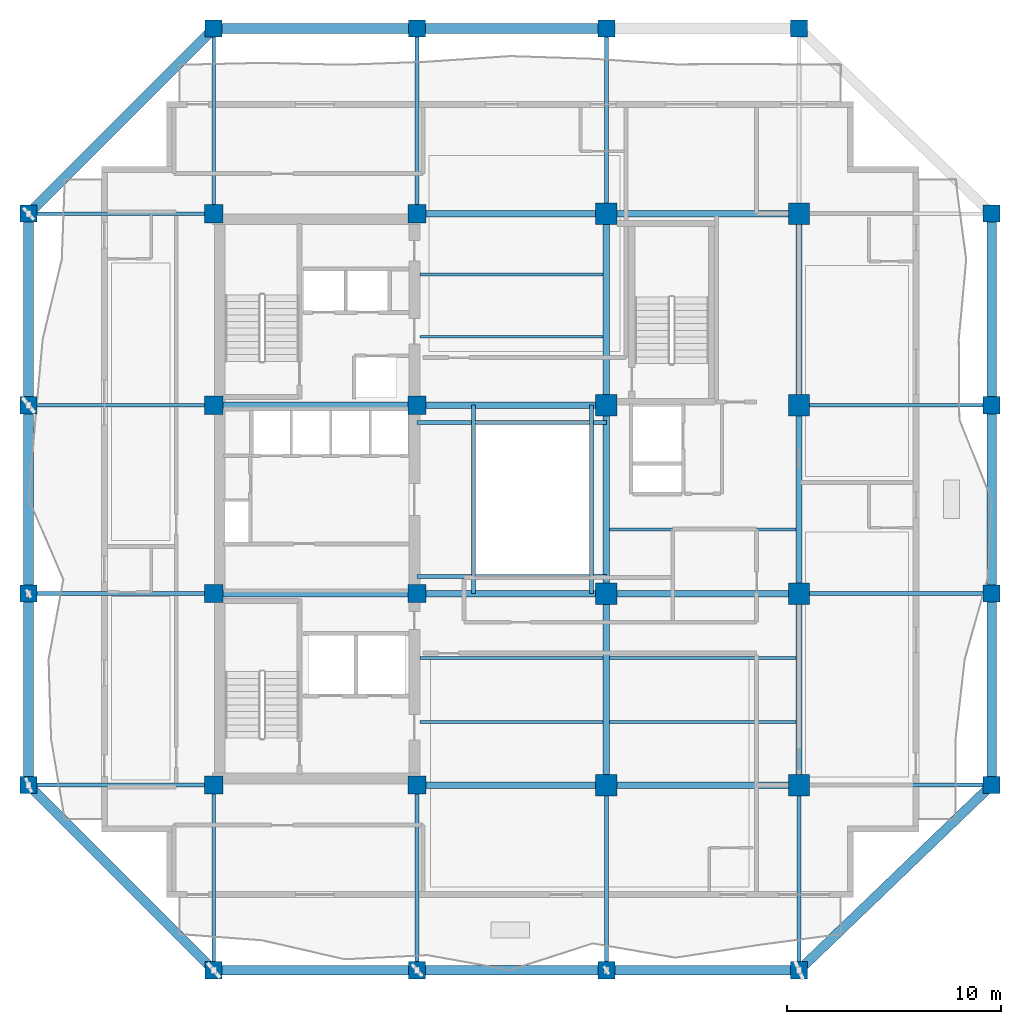
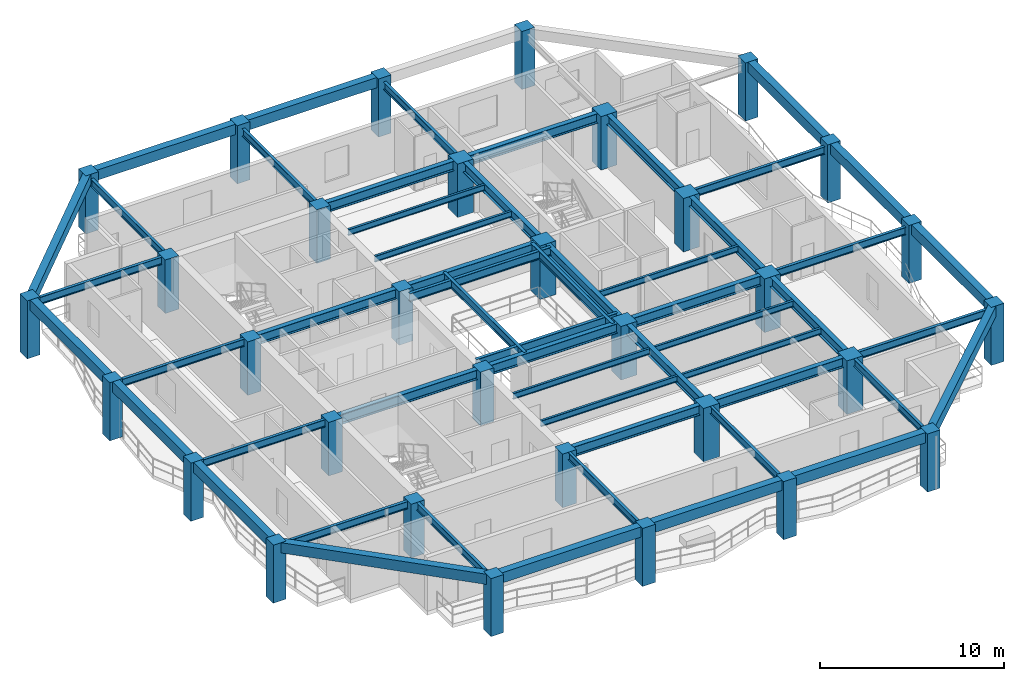
# One storey, part 1 of 10: 54 beams, 32 columns.
"""IFC4 building model written with IfcOpenShell, lengths in metres."""

from ifc_helpers import new_model, si_unit, direction, frame, origin, origin_2d, place, context, subcontext, project, spatial, rectangle, i_section, extrude, material, material_profile, profile_set, type_object, element, save


model = new_model("IFC4")

# Units and contexts
model_context = context("Model", 3, precision=1e-05, world=origin(), true_north=direction((0.0, 1.0)))
body_context = subcontext(model_context, "Body", "Model", "MODEL_VIEW")
ifc_project = project(units=[si_unit("LENGTHUNIT", "METRE"), si_unit("AREAUNIT", "SQUARE_METRE"), si_unit("VOLUMEUNIT", "CUBIC_METRE"), si_unit("PLANEANGLEUNIT", "RADIAN"), si_unit("MASSUNIT", "GRAM", prefix="KILO")], contexts=[model_context])

# Site, building, storey
site_placement = place(None, origin())
site = spatial("IfcSite", under=ifc_project, at=site_placement, CompositionType="ELEMENT")
building_placement = place(site_placement, origin())
building = spatial("IfcBuilding", under=site, at=building_placement, Name="Kundavana Baori Tower", CompositionType="ELEMENT")
storey_placement = place(building_placement, frame((0.0, 0.0, 150.199951171875)))
storey = spatial("IfcBuildingStorey", under=building, at=storey_placement, Name="L36", CompositionType="ELEMENT", Elevation=150.199951171875)

# Columns
ifc_material_1 = material(Name="Concrete C50/60", Category="concrete")
ifc_material_profile_1 = material_profile(ifc_material_1, rectangle(XDim=0.800048828125, YDim=0.800048828125, at=origin_2d()), Name="RC PF 800x800")
ifc_profile_set_1 = profile_set([ifc_material_profile_1], Name="Concrete C50/60")
column_type_1 = type_object("IfcColumnType", Name="COL-PF-800", PredefinedType="COLUMN", material=ifc_profile_set_1)
for number, where, z_axis, x_axis, name in (
    (1, (15.449951171875, 6.60009765625, 0.0), (0.0, 0.0, 1.0), (1.0, 0.0, 0.0), "L36 Stone-Clad Perimeter Frame Column PF-S1"),
    (2, (15.449951171875, 50.60009765625, 0.0), (0.0, 0.0, 1.0), (1.0, 0.0, 0.0), "L36 Stone-Clad Perimeter Frame Column PF-N1"),
    (3, (24.949951171875, 6.60009765625, 0.0), (0.0, 0.0, 1.0), (1.0, 0.0, 0.0), "L36 Stone-Clad Perimeter Frame Column PF-S2"),
    (4, (24.949951171875, 50.60009765625, 0.0), (0.0, 0.0, 1.0), (1.0, 0.0, 0.0), "L36 Stone-Clad Perimeter Frame Column PF-N2"),
    (5, (33.800048828125, 6.60009765625, 0.0), (0.0, 0.0, 1.0), (1.0, 0.0, 0.0), "L36 Stone-Clad Perimeter Frame Column PF-S3"),
    (6, (33.800048828125, 50.60009765625, 0.0), (0.0, 0.0, 1.0), (1.0, 0.0, 0.0), "L36 Stone-Clad Perimeter Frame Column PF-N3"),
    (7, (42.800048828125, 6.60009765625, 0.0), (0.0, 0.0, 1.0), (1.0, 0.0, 0.0), "L36 Stone-Clad Perimeter Frame Column PF-S4"),
    (8, (42.800048828125, 50.60009765625, 0.0), (0.0, 0.0, 1.0), (1.0, 0.0, 0.0), "L36 Stone-Clad Perimeter Frame Column PF-N4"),
    (9, (6.800048828125, 15.25, 0.0), (0.0, 0.0, 1.0), (1.0, 0.0, 0.0), "L36 Stone-Clad Perimeter Frame Column PF-W1"),
    (10, (51.800048828125, 15.25, 0.0), (0.0, 0.0, 1.0), (1.0, 0.0, 0.0), "L36 Stone-Clad Perimeter Frame Column PF-E1"),
    (11, (6.800048828125, 24.199951171875, 0.0), (0.0, 0.0, 1.0), (1.0, 0.0, 0.0), "L36 Stone-Clad Perimeter Frame Column PF-W2"),
    (12, (51.800048828125, 24.199951171875, 0.0), (0.0, 0.0, 1.0), (1.0, 0.0, 0.0), "L36 Stone-Clad Perimeter Frame Column PF-E2"),
    (13, (6.800048828125, 33.0, 0.0), (0.0, 0.0, 1.0), (1.0, 0.0, 0.0), "L36 Stone-Clad Perimeter Frame Column PF-W3"),
    (14, (51.800048828125, 33.0, 0.0), (0.0, 0.0, 1.0), (1.0, 0.0, 0.0), "L36 Stone-Clad Perimeter Frame Column PF-E3"),
    (15, (6.800048828125, 41.949951171875, 0.0), (0.0, 0.0, 1.0), (1.0, 0.0, 0.0), "L36 Stone-Clad Perimeter Frame Column PF-W4"),
    (16, (51.800048828125, 41.949951171875, 0.0), (0.0, 0.0, 1.0), (1.0, 0.0, 0.0), "L36 Stone-Clad Perimeter Frame Column PF-E4"),
):
    element("IfcColumn", number, at=place(storey_placement, frame(where, z_axis=z_axis, x_axis=x_axis)), inside=storey, type_object=column_type_1, Name=name, PredefinedType="COLUMN", context=body_context, shape_type="SweptSolid", body=[
        extrude(rectangle(XDim=0.800048828125, YDim=0.800048828125, at=origin_2d()), origin(), (0.0, 0.0, 1.0), 3.85009765625),
    ])
ifc_material_2 = material(Name="Concrete C50/60", Category="concrete")
ifc_material_profile_2 = material_profile(ifc_material_2, rectangle(XDim=1.0, YDim=1.0, at=origin_2d()), Name="RC 1000x1000")
ifc_profile_set_2 = profile_set([ifc_material_profile_2], Name="Concrete C50/60")
column_type_2 = type_object("IfcColumnType", Name="COL-RC-1000", PredefinedType="COLUMN", material=ifc_profile_set_2)
for number, where, z_axis, x_axis, name in (
    (17, (33.800048828125, 15.25, 0.0), (0.0, 0.0, 1.0), (1.0, 0.0, 0.0), "L36 Interior Column IC-5C"),
    (18, (33.800048828125, 24.199951171875, 0.0), (0.0, 0.0, 1.0), (1.0, 0.0, 0.0), "L36 Interior Column IC-5D"),
    (19, (33.800048828125, 33.0, 0.0), (0.0, 0.0, 1.0), (1.0, 0.0, 0.0), "L36 Interior Column IC-5E"),
    (20, (33.800048828125, 41.949951171875, 0.0), (0.0, 0.0, 1.0), (1.0, 0.0, 0.0), "L36 Interior Column IC-5F"),
    (21, (42.800048828125, 15.25, 0.0), (0.0, 0.0, 1.0), (1.0, 0.0, 0.0), "L36 Interior Column IC-6C"),
    (22, (42.800048828125, 24.199951171875, 0.0), (0.0, 0.0, 1.0), (1.0, 0.0, 0.0), "L36 Interior Column IC-6D"),
    (23, (42.800048828125, 33.0, 0.0), (0.0, 0.0, 1.0), (1.0, 0.0, 0.0), "L36 Interior Column IC-6E"),
    (24, (42.800048828125, 41.949951171875, 0.0), (0.0, 0.0, 1.0), (1.0, 0.0, 0.0), "L36 Interior Column IC-6F"),
):
    element("IfcColumn", number, at=place(storey_placement, frame(where, z_axis=z_axis, x_axis=x_axis)), inside=storey, type_object=column_type_2, Name=name, PredefinedType="COLUMN", context=body_context, shape_type="SweptSolid", body=[
        extrude(rectangle(XDim=1.0, YDim=1.0, at=origin_2d()), origin(), (0.0, 0.0, 1.0), 3.550048828125),
    ])
ifc_material_3 = material(Name="Concrete C50/60", Category="concrete")
ifc_material_profile_3 = material_profile(ifc_material_3, rectangle(XDim=0.85009765625, YDim=0.85009765625, at=origin_2d()), Name="RC 850x850")
ifc_profile_set_3 = profile_set([ifc_material_profile_3], Name="Concrete C50/60")
column_type_3 = type_object("IfcColumnType", Name="COL-RC-850", PredefinedType="COLUMN", material=ifc_profile_set_3)
for number, where, z_axis, x_axis, name in (
    (25, (15.449951171875, 15.25, 0.0), (0.0, 0.0, 1.0), (1.0, 0.0, 0.0), "L36 Interior Column IC-3C"),
    (26, (15.449951171875, 24.199951171875, 0.0), (0.0, 0.0, 1.0), (1.0, 0.0, 0.0), "L36 Interior Column IC-3D"),
    (27, (15.449951171875, 33.0, 0.0), (0.0, 0.0, 1.0), (1.0, 0.0, 0.0), "L36 Interior Column IC-3E"),
    (28, (15.449951171875, 41.949951171875, 0.0), (0.0, 0.0, 1.0), (1.0, 0.0, 0.0), "L36 Interior Column IC-3F"),
    (29, (24.949951171875, 15.25, 0.0), (0.0, 0.0, 1.0), (1.0, 0.0, 0.0), "L36 Interior Column IC-4C"),
    (30, (24.949951171875, 24.199951171875, 0.0), (0.0, 0.0, 1.0), (1.0, 0.0, 0.0), "L36 Interior Column IC-4D"),
    (31, (24.949951171875, 33.0, 0.0), (0.0, 0.0, 1.0), (1.0, 0.0, 0.0), "L36 Interior Column IC-4E"),
    (32, (24.949951171875, 41.949951171875, 0.0), (0.0, 0.0, 1.0), (1.0, 0.0, 0.0), "L36 Interior Column IC-4F"),
):
    element("IfcColumn", number, at=place(storey_placement, frame(where, z_axis=z_axis, x_axis=x_axis)), inside=storey, type_object=column_type_3, Name=name, PredefinedType="COLUMN", context=body_context, shape_type="SweptSolid", body=[
        extrude(rectangle(XDim=0.85009765625, YDim=0.85009765625, at=origin_2d()), origin(), (0.0, 0.0, 1.0), 3.550048828125),
    ])

# Beams
ifc_material_4 = material(Name="Structural Steel S355JR", Category="steel")
ifc_material_profile_4 = material_profile(ifc_material_4, i_section(OverallWidth=0.139892578125, OverallDepth=0.39990234375, WebThickness=0.0087890625, FlangeThickness=0.01611328125, FilletRadius=0.013916015625, at=origin_2d()), Name="ISMB 400")
ifc_profile_set_4 = profile_set([ifc_material_profile_4], Name="Structural Steel S355JR")
beam_type_1 = type_object("IfcBeamType", Name="BM-JST-400", PredefinedType="JOIST", material=ifc_profile_set_4)
for number, where, z_axis, x_axis, name in (
    (33, (25.080078125, 18.199951171875, 3.35009765625), (1.0, 0.0, 0.0), (0.0, 1.0, 0.0), "L36 Central Bay Composite Floor Joist C1"),
    (34, (25.080078125, 21.199951171875, 3.35009765625), (1.0, 0.0, 0.0), (0.0, 1.0, 0.0), "L36 Central Bay Composite Floor Joist C2"),
    (35, (25.080078125, 36.199951171875, 3.35009765625), (1.0, 0.0, 0.0), (0.0, 1.0, 0.0), "L36 Central Bay Composite Floor Joist C3"),
    (36, (25.080078125, 39.10009765625, 3.35009765625), (1.0, 0.0, 0.0), (0.0, 1.0, 0.0), "L36 Central Bay Composite Floor Joist C4"),
):
    element("IfcBeam", number, at=place(storey_placement, frame(where, z_axis=z_axis, x_axis=x_axis)), inside=storey, type_object=beam_type_1, Name=name, PredefinedType="JOIST", context=body_context, shape_type="SweptSolid", body=[
        extrude(i_section(OverallWidth=0.139892578125, OverallDepth=0.39990234375, WebThickness=0.0087890625, FlangeThickness=0.01611328125, FilletRadius=0.013916015625, at=origin_2d()), origin(), (0.0, 0.0, 1.0), 8.56982421875),
    ])
for number, where, z_axis, x_axis, name in (
    (37, (33.949951171875, 18.199951171875, 3.35009765625), (1.0, 0.0, 0.0), (0.0, 1.0, 0.0), "L36 East Bay Composite Floor Joist E1"),
    (38, (33.949951171875, 21.199951171875, 3.35009765625), (1.0, 0.0, 0.0), (0.0, 1.0, 0.0), "L36 East Bay Composite Floor Joist E2"),
    (39, (33.949951171875, 27.199951171875, 3.35009765625), (1.0, 0.0, 0.0), (0.0, 1.0, 0.0), "L36 East Bay Composite Floor Joist E3"),
):
    element("IfcBeam", number, at=place(storey_placement, frame(where, z_axis=z_axis, x_axis=x_axis)), inside=storey, type_object=beam_type_1, Name=name, PredefinedType="JOIST", context=body_context, shape_type="SweptSolid", body=[
        extrude(i_section(OverallWidth=0.139892578125, OverallDepth=0.39990234375, WebThickness=0.0087890625, FlangeThickness=0.01611328125, FilletRadius=0.013916015625, at=origin_2d()), origin(), (0.0, 0.0, 1.0), 8.699951171875),
    ])
ifc_material_5 = material(Name="Concrete C50/60", Category="concrete")
ifc_material_profile_5 = material_profile(ifc_material_5, rectangle(XDim=0.449951171875, YDim=0.679931640625, at=origin_2d()), Name="RC BM 450x680")
ifc_profile_set_5 = profile_set([ifc_material_profile_5], Name="Concrete C50/60")
beam_type_2 = type_object("IfcBeamType", Name="BM-PF-680", PredefinedType="SPANDREL", material=ifc_profile_set_5)
beam_1_placement = place(storey_placement, frame((15.449951171875, 6.60009765625, 3.510009765625), z_axis=(1.0, 0.0, 0.0), x_axis=(0.0, 1.0, 0.0)))
element("IfcBeam", 40, at=beam_1_placement, inside=storey, type_object=beam_type_2, Name="L36 Perimeter Frame Ring Beam S1", PredefinedType="SPANDREL", context=body_context, shape_type="SweptSolid", body=[
    extrude(rectangle(XDim=0.449951171875, YDim=0.679931640625, at=origin_2d()), origin(), (0.0, 0.0, 1.0), 9.5),
])
beam_2_placement = place(storey_placement, frame((24.949951171875, 6.60009765625, 3.510009765625), z_axis=(1.0, 0.0, 0.0), x_axis=(0.0, 1.0, 0.0)))
element("IfcBeam", 41, at=beam_2_placement, inside=storey, type_object=beam_type_2, Name="L36 Perimeter Frame Ring Beam S2", PredefinedType="SPANDREL", context=body_context, shape_type="SweptSolid", body=[
    extrude(rectangle(XDim=0.449951171875, YDim=0.679931640625, at=origin_2d()), origin(), (0.0, 0.0, 1.0), 8.85009765625),
])
beam_3_placement = place(storey_placement, frame((33.800048828125, 6.60009765625, 3.510009765625), z_axis=(1.0, 0.0, 0.0), x_axis=(0.0, 1.0, 0.0)))
element("IfcBeam", 42, at=beam_3_placement, inside=storey, type_object=beam_type_2, Name="L36 Perimeter Frame Ring Beam S3", PredefinedType="SPANDREL", context=body_context, shape_type="SweptSolid", body=[
    extrude(rectangle(XDim=0.449951171875, YDim=0.679931640625, at=origin_2d()), origin(), (0.0, 0.0, 1.0), 9.0),
])
beam_4_placement = place(storey_placement, frame((15.449951171875, 50.60009765625, 3.510009765625), z_axis=(1.0, 0.0, 0.0), x_axis=(0.0, 1.0, 0.0)))
element("IfcBeam", 43, at=beam_4_placement, inside=storey, type_object=beam_type_2, Name="L36 Perimeter Frame Ring Beam N1", PredefinedType="SPANDREL", context=body_context, shape_type="SweptSolid", body=[
    extrude(rectangle(XDim=0.449951171875, YDim=0.679931640625, at=origin_2d()), origin(), (0.0, 0.0, 1.0), 9.5),
])
beam_5_placement = place(storey_placement, frame((24.949951171875, 50.60009765625, 3.510009765625), z_axis=(1.0, 0.0, 0.0), x_axis=(0.0, 1.0, 0.0)))
element("IfcBeam", 44, at=beam_5_placement, inside=storey, type_object=beam_type_2, Name="L36 Perimeter Frame Ring Beam N2", PredefinedType="SPANDREL", context=body_context, shape_type="SweptSolid", body=[
    extrude(rectangle(XDim=0.449951171875, YDim=0.679931640625, at=origin_2d()), origin(), (0.0, 0.0, 1.0), 8.85009765625),
])
beam_6_placement = place(storey_placement, frame((6.800048828125, 15.25, 3.510009765625), z_axis=(0.0, 1.0, 0.0), x_axis=(-1.0, 0.0, 0.0)))
element("IfcBeam", 45, at=beam_6_placement, inside=storey, type_object=beam_type_2, Name="L36 Perimeter Frame Ring Beam W1", PredefinedType="SPANDREL", context=body_context, shape_type="SweptSolid", body=[
    extrude(rectangle(XDim=0.449951171875, YDim=0.679931640625, at=origin_2d()), origin(), (0.0, 0.0, 1.0), 8.949951171875),
])
beam_7_placement = place(storey_placement, frame((6.800048828125, 24.199951171875, 3.510009765625), z_axis=(0.0, 1.0, 0.0), x_axis=(-1.0, 0.0, 0.0)))
element("IfcBeam", 46, at=beam_7_placement, inside=storey, type_object=beam_type_2, Name="L36 Perimeter Frame Ring Beam W2", PredefinedType="SPANDREL", context=body_context, shape_type="SweptSolid", body=[
    extrude(rectangle(XDim=0.449951171875, YDim=0.679931640625, at=origin_2d()), origin(), (0.0, 0.0, 1.0), 8.800048828125),
])
for number, where, z_axis, x_axis, name in (
    (47, (6.800048828125, 33.0, 3.510009765625), (0.0, 1.0, 0.0), (-1.0, 0.0, 0.0), "L36 Perimeter Frame Ring Beam W3"),
    (48, (51.800048828125, 15.25, 3.510009765625), (0.0, 1.0, 0.0), (-1.0, 0.0, 0.0), "L36 Perimeter Frame Ring Beam E1"),
):
    element("IfcBeam", number, at=place(storey_placement, frame(where, z_axis=z_axis, x_axis=x_axis)), inside=storey, type_object=beam_type_2, Name=name, PredefinedType="SPANDREL", context=body_context, shape_type="SweptSolid", body=[
        extrude(rectangle(XDim=0.449951171875, YDim=0.679931640625, at=origin_2d()), origin(), (0.0, 0.0, 1.0), 8.949951171875),
    ])
beam_8_placement = place(storey_placement, frame((51.800048828125, 24.199951171875, 3.510009765625), z_axis=(0.0, 1.0, 0.0), x_axis=(-1.0, 0.0, 0.0)))
element("IfcBeam", 49, at=beam_8_placement, inside=storey, type_object=beam_type_2, Name="L36 Perimeter Frame Ring Beam E2", PredefinedType="SPANDREL", context=body_context, shape_type="SweptSolid", body=[
    extrude(rectangle(XDim=0.449951171875, YDim=0.679931640625, at=origin_2d()), origin(), (0.0, 0.0, 1.0), 8.800048828125),
])
beam_9_placement = place(storey_placement, frame((51.800048828125, 33.0, 3.510009765625), z_axis=(0.0, 1.0, 0.0), x_axis=(-1.0, 0.0, 0.0)))
element("IfcBeam", 50, at=beam_9_placement, inside=storey, type_object=beam_type_2, Name="L36 Perimeter Frame Ring Beam E3", PredefinedType="SPANDREL", context=body_context, shape_type="SweptSolid", body=[
    extrude(rectangle(XDim=0.449951171875, YDim=0.679931640625, at=origin_2d()), origin(), (0.0, 0.0, 1.0), 8.949951171875),
])
beam_10_placement = place(storey_placement, frame((15.449951171875, 6.60009765625, 3.510009765625), z_axis=(-0.707106781187, 0.707106781187, 0.0), x_axis=(-0.707106781187, -0.707106781187, 0.0)))
element("IfcBeam", 51, at=beam_10_placement, inside=storey, type_object=beam_type_2, Name="L36 Notched Corner Perimeter Beam SW", PredefinedType="SPANDREL", context=body_context, shape_type="SweptSolid", body=[
    extrude(rectangle(XDim=0.449951171875, YDim=0.679931640625, at=origin_2d()), origin(), (0.0, 0.0, 1.0), 12.23291015625),
])
beam_11_placement = place(storey_placement, frame((42.800048828125, 6.60009765625, 3.510009765625), z_axis=(0.720990894297, 0.692944536266, 0.0), x_axis=(-0.692944536266, 0.720990894297, 0.0)))
element("IfcBeam", 52, at=beam_11_placement, inside=storey, type_object=beam_type_2, Name="L36 Notched Corner Perimeter Beam SE", PredefinedType="SPANDREL", context=body_context, shape_type="SweptSolid", body=[
    extrude(rectangle(XDim=0.449951171875, YDim=0.679931640625, at=origin_2d()), origin(), (0.0, 0.0, 1.0), 12.48291015625),
])
beam_12_placement = place(storey_placement, frame((15.449951171875, 50.60009765625, 3.510009765625), z_axis=(-0.70709680233, -0.707116759903, 0.0), x_axis=(0.707116759903, -0.70709680233, 0.0)))
element("IfcBeam", 53, at=beam_12_placement, inside=storey, type_object=beam_type_2, Name="L36 Notched Corner Perimeter Beam NW", PredefinedType="SPANDREL", context=body_context, shape_type="SweptSolid", body=[
    extrude(rectangle(XDim=0.449951171875, YDim=0.679931640625, at=origin_2d()), origin(), (0.0, 0.0, 1.0), 12.23291015625),
])
ifc_material_6 = material(Name="Structural Steel S355JR", Category="steel")
ifc_material_profile_6 = material_profile(ifc_material_6, i_section(OverallWidth=0.18994140625, OverallDepth=0.550048828125, WebThickness=0.01123046875, FlangeThickness=0.019287109375, FilletRadius=0.01806640625, at=origin_2d()), Name="ISMB 550")
ifc_profile_set_6 = profile_set([ifc_material_profile_6], Name="Structural Steel S355JR")
beam_type_3 = type_object("IfcBeamType", Name="BM-ST-550", PredefinedType="BEAM", material=ifc_profile_set_6)
for number, where, z_axis, x_axis, name in (
    (54, (27.60009765625, 24.199951171875, 3.275146484375), (0.0, 1.0, 0.0), (-1.0, 0.0, 0.0), "L36 Atrium West Edge Beam"),
    (55, (33.10009765625, 24.199951171875, 3.275146484375), (0.0, 1.0, 0.0), (-1.0, 0.0, 0.0), "L36 Atrium East Edge Beam"),
):
    element("IfcBeam", number, at=place(storey_placement, frame(where, z_axis=z_axis, x_axis=x_axis)), inside=storey, type_object=beam_type_3, Name=name, PredefinedType="BEAM", context=body_context, shape_type="SweptSolid", body=[
        extrude(i_section(OverallWidth=0.18994140625, OverallDepth=0.550048828125, WebThickness=0.01123046875, FlangeThickness=0.019287109375, FilletRadius=0.01806640625, at=origin_2d()), origin(), (0.0, 0.0, 1.0), 8.800048828125),
    ])
for number, where, z_axis, x_axis, name in (
    (56, (24.949951171875, 25.0, 3.275146484375), (1.0, 0.0, 0.0), (0.0, 1.0, 0.0), "L36 Atrium South Edge Beam"),
    (57, (24.949951171875, 32.199951171875, 3.275146484375), (1.0, 0.0, 0.0), (0.0, 1.0, 0.0), "L36 Atrium North Edge Beam"),
):
    element("IfcBeam", number, at=place(storey_placement, frame(where, z_axis=z_axis, x_axis=x_axis)), inside=storey, type_object=beam_type_3, Name=name, PredefinedType="BEAM", context=body_context, shape_type="SweptSolid", body=[
        extrude(i_section(OverallWidth=0.18994140625, OverallDepth=0.550048828125, WebThickness=0.01123046875, FlangeThickness=0.019287109375, FilletRadius=0.01806640625, at=origin_2d()), origin(), (0.0, 0.0, 1.0), 8.85009765625),
    ])
ifc_material_7 = material(Name="Structural Steel S355JR", Category="steel")
ifc_material_profile_7 = material_profile(ifc_material_7, i_section(OverallWidth=0.300048828125, OverallDepth=0.64990234375, WebThickness=0.013427734375, FlangeThickness=0.02197265625, FilletRadius=0.02392578125, at=origin_2d()), Name="NPB 650x300x155")
ifc_profile_set_7 = profile_set([ifc_material_profile_7], Name="Structural Steel S355JR")
beam_type_4 = type_object("IfcBeamType", Name="BM-ST-650", PredefinedType="BEAM", material=ifc_profile_set_7)
beam_13_placement = place(storey_placement, frame((24.949951171875, 15.25, 3.22509765625), z_axis=(1.0, 0.0, 0.0), x_axis=(0.0, 1.0, 0.0)))
element("IfcBeam", 58, at=beam_13_placement, inside=storey, type_object=beam_type_4, Name="L36 Primary Grid Girder GX-1-2", PredefinedType="BEAM", context=body_context, shape_type="SweptSolid", body=[
    extrude(i_section(OverallWidth=0.300048828125, OverallDepth=0.64990234375, WebThickness=0.013427734375, FlangeThickness=0.02197265625, FilletRadius=0.02392578125, at=origin_2d()), origin(), (0.0, 0.0, 1.0), 8.85009765625),
])
beam_14_placement = place(storey_placement, frame((33.800048828125, 15.25, 3.22509765625), z_axis=(1.0, 0.0, 0.0), x_axis=(0.0, 1.0, 0.0)))
element("IfcBeam", 59, at=beam_14_placement, inside=storey, type_object=beam_type_4, Name="L36 Primary Grid Girder GX-1-3", PredefinedType="BEAM", context=body_context, shape_type="SweptSolid", body=[
    extrude(i_section(OverallWidth=0.300048828125, OverallDepth=0.64990234375, WebThickness=0.013427734375, FlangeThickness=0.02197265625, FilletRadius=0.02392578125, at=origin_2d()), origin(), (0.0, 0.0, 1.0), 9.0),
])
beam_15_placement = place(storey_placement, frame((15.449951171875, 24.199951171875, 3.22509765625), z_axis=(1.0, 0.0, 0.0), x_axis=(0.0, 1.0, 0.0)))
element("IfcBeam", 60, at=beam_15_placement, inside=storey, type_object=beam_type_4, Name="L36 Primary Grid Girder GX-2-1", PredefinedType="BEAM", context=body_context, shape_type="SweptSolid", body=[
    extrude(i_section(OverallWidth=0.300048828125, OverallDepth=0.64990234375, WebThickness=0.013427734375, FlangeThickness=0.02197265625, FilletRadius=0.02392578125, at=origin_2d()), origin(), (0.0, 0.0, 1.0), 9.5),
])
beam_16_placement = place(storey_placement, frame((24.949951171875, 24.199951171875, 3.22509765625), z_axis=(1.0, 0.0, 0.0), x_axis=(0.0, 1.0, 0.0)))
element("IfcBeam", 61, at=beam_16_placement, inside=storey, type_object=beam_type_4, Name="L36 Primary Grid Girder GX-2-2", PredefinedType="BEAM", context=body_context, shape_type="SweptSolid", body=[
    extrude(i_section(OverallWidth=0.300048828125, OverallDepth=0.64990234375, WebThickness=0.013427734375, FlangeThickness=0.02197265625, FilletRadius=0.02392578125, at=origin_2d()), origin(), (0.0, 0.0, 1.0), 8.85009765625),
])
beam_17_placement = place(storey_placement, frame((33.800048828125, 24.199951171875, 3.22509765625), z_axis=(1.0, 0.0, 0.0), x_axis=(0.0, 1.0, 0.0)))
element("IfcBeam", 62, at=beam_17_placement, inside=storey, type_object=beam_type_4, Name="L36 Primary Grid Girder GX-2-3", PredefinedType="BEAM", context=body_context, shape_type="SweptSolid", body=[
    extrude(i_section(OverallWidth=0.300048828125, OverallDepth=0.64990234375, WebThickness=0.013427734375, FlangeThickness=0.02197265625, FilletRadius=0.02392578125, at=origin_2d()), origin(), (0.0, 0.0, 1.0), 9.0),
])
beam_18_placement = place(storey_placement, frame((15.449951171875, 33.0, 3.22509765625), z_axis=(1.0, 0.0, 0.0), x_axis=(0.0, 1.0, 0.0)))
element("IfcBeam", 63, at=beam_18_placement, inside=storey, type_object=beam_type_4, Name="L36 Primary Grid Girder GX-3-1", PredefinedType="BEAM", context=body_context, shape_type="SweptSolid", body=[
    extrude(i_section(OverallWidth=0.300048828125, OverallDepth=0.64990234375, WebThickness=0.013427734375, FlangeThickness=0.02197265625, FilletRadius=0.02392578125, at=origin_2d()), origin(), (0.0, 0.0, 1.0), 9.5),
])
for number, where, z_axis, x_axis, name in (
    (64, (24.949951171875, 33.0, 3.22509765625), (1.0, 0.0, 0.0), (0.0, 1.0, 0.0), "L36 Primary Grid Girder GX-3-2"),
    (65, (24.949951171875, 41.949951171875, 3.22509765625), (1.0, 0.0, 0.0), (0.0, 1.0, 0.0), "L36 Primary Grid Girder GX-4-2"),
):
    element("IfcBeam", number, at=place(storey_placement, frame(where, z_axis=z_axis, x_axis=x_axis)), inside=storey, type_object=beam_type_4, Name=name, PredefinedType="BEAM", context=body_context, shape_type="SweptSolid", body=[
        extrude(i_section(OverallWidth=0.300048828125, OverallDepth=0.64990234375, WebThickness=0.013427734375, FlangeThickness=0.02197265625, FilletRadius=0.02392578125, at=origin_2d()), origin(), (0.0, 0.0, 1.0), 8.85009765625),
    ])
beam_19_placement = place(storey_placement, frame((33.800048828125, 41.949951171875, 3.22509765625), z_axis=(1.0, 0.0, 0.0), x_axis=(0.0, 1.0, 0.0)))
element("IfcBeam", 66, at=beam_19_placement, inside=storey, type_object=beam_type_4, Name="L36 Primary Grid Girder GX-4-3", PredefinedType="BEAM", context=body_context, shape_type="SweptSolid", body=[
    extrude(i_section(OverallWidth=0.300048828125, OverallDepth=0.64990234375, WebThickness=0.013427734375, FlangeThickness=0.02197265625, FilletRadius=0.02392578125, at=origin_2d()), origin(), (0.0, 0.0, 1.0), 9.0),
])
beam_20_placement = place(storey_placement, frame((33.800048828125, 15.25, 3.22509765625), z_axis=(0.0, 1.0, 0.0), x_axis=(-1.0, 0.0, 0.0)))
element("IfcBeam", 67, at=beam_20_placement, inside=storey, type_object=beam_type_4, Name="L36 Primary Grid Girder GY-3-1", PredefinedType="BEAM", context=body_context, shape_type="SweptSolid", body=[
    extrude(i_section(OverallWidth=0.300048828125, OverallDepth=0.64990234375, WebThickness=0.013427734375, FlangeThickness=0.02197265625, FilletRadius=0.02392578125, at=origin_2d()), origin(), (0.0, 0.0, 1.0), 8.949951171875),
])
beam_21_placement = place(storey_placement, frame((33.800048828125, 24.199951171875, 3.22509765625), z_axis=(0.0, 1.0, 0.0), x_axis=(-1.0, 0.0, 0.0)))
element("IfcBeam", 68, at=beam_21_placement, inside=storey, type_object=beam_type_4, Name="L36 Primary Grid Girder GY-3-2", PredefinedType="BEAM", context=body_context, shape_type="SweptSolid", body=[
    extrude(i_section(OverallWidth=0.300048828125, OverallDepth=0.64990234375, WebThickness=0.013427734375, FlangeThickness=0.02197265625, FilletRadius=0.02392578125, at=origin_2d()), origin(), (0.0, 0.0, 1.0), 8.800048828125),
])
for number, where, z_axis, x_axis, name in (
    (69, (33.800048828125, 33.0, 3.22509765625), (0.0, 1.0, 0.0), (-1.0, 0.0, 0.0), "L36 Primary Grid Girder GY-3-3"),
    (70, (42.800048828125, 15.25, 3.22509765625), (0.0, 1.0, 0.0), (-1.0, 0.0, 0.0), "L36 Primary Grid Girder GY-4-1"),
):
    element("IfcBeam", number, at=place(storey_placement, frame(where, z_axis=z_axis, x_axis=x_axis)), inside=storey, type_object=beam_type_4, Name=name, PredefinedType="BEAM", context=body_context, shape_type="SweptSolid", body=[
        extrude(i_section(OverallWidth=0.300048828125, OverallDepth=0.64990234375, WebThickness=0.013427734375, FlangeThickness=0.02197265625, FilletRadius=0.02392578125, at=origin_2d()), origin(), (0.0, 0.0, 1.0), 8.949951171875),
    ])
beam_22_placement = place(storey_placement, frame((42.800048828125, 24.199951171875, 3.22509765625), z_axis=(0.0, 1.0, 0.0), x_axis=(-1.0, 0.0, 0.0)))
element("IfcBeam", 71, at=beam_22_placement, inside=storey, type_object=beam_type_4, Name="L36 Primary Grid Girder GY-4-2", PredefinedType="BEAM", context=body_context, shape_type="SweptSolid", body=[
    extrude(i_section(OverallWidth=0.300048828125, OverallDepth=0.64990234375, WebThickness=0.013427734375, FlangeThickness=0.02197265625, FilletRadius=0.02392578125, at=origin_2d()), origin(), (0.0, 0.0, 1.0), 8.800048828125),
])
beam_23_placement = place(storey_placement, frame((42.800048828125, 33.0, 3.22509765625), z_axis=(0.0, 1.0, 0.0), x_axis=(-1.0, 0.0, 0.0)))
element("IfcBeam", 72, at=beam_23_placement, inside=storey, type_object=beam_type_4, Name="L36 Primary Grid Girder GY-4-3", PredefinedType="BEAM", context=body_context, shape_type="SweptSolid", body=[
    extrude(i_section(OverallWidth=0.300048828125, OverallDepth=0.64990234375, WebThickness=0.013427734375, FlangeThickness=0.02197265625, FilletRadius=0.02392578125, at=origin_2d()), origin(), (0.0, 0.0, 1.0), 8.949951171875),
])
ifc_material_8 = material(Name="Structural Steel S355JR", Category="steel")
ifc_material_profile_8 = material_profile(ifc_material_8, i_section(OverallWidth=0.179931640625, OverallDepth=0.5, WebThickness=0.01025390625, FlangeThickness=0.01708984375, FilletRadius=0.01708984375, at=origin_2d()), Name="ISMB 500")
ifc_profile_set_8 = profile_set([ifc_material_profile_8], Name="Structural Steel S355JR")
beam_type_5 = type_object("IfcBeamType", Name="BM-TIE-500", PredefinedType="BEAM", material=ifc_profile_set_8)
beam_24_placement = place(storey_placement, frame((15.449951171875, 15.25, 3.300048828125), z_axis=(0.0, -1.0, 0.0), x_axis=(1.0, 0.0, 0.0)))
element("IfcBeam", 73, at=beam_24_placement, inside=storey, type_object=beam_type_5, Name="L36 South Radial Loggia Tie Beam S1", PredefinedType="BEAM", context=body_context, shape_type="SweptSolid", body=[
    extrude(i_section(OverallWidth=0.179931640625, OverallDepth=0.5, WebThickness=0.01025390625, FlangeThickness=0.01708984375, FilletRadius=0.01708984375, at=origin_2d()), origin(), (0.0, 0.0, 1.0), 8.64990234375),
])
beam_25_placement = place(storey_placement, frame((15.449951171875, 41.949951171875, 3.300048828125), z_axis=(0.0, 1.0, 0.0), x_axis=(-1.0, 0.0, 0.0)))
element("IfcBeam", 74, at=beam_25_placement, inside=storey, type_object=beam_type_5, Name="L36 North Radial Loggia Tie Beam N1", PredefinedType="BEAM", context=body_context, shape_type="SweptSolid", body=[
    extrude(i_section(OverallWidth=0.179931640625, OverallDepth=0.5, WebThickness=0.01025390625, FlangeThickness=0.01708984375, FilletRadius=0.01708984375, at=origin_2d()), origin(), (0.0, 0.0, 1.0), 8.650146484375),
])
beam_26_placement = place(storey_placement, frame((24.949951171875, 15.25, 3.300048828125), z_axis=(0.0, -1.0, 0.0), x_axis=(1.0, 0.0, 0.0)))
element("IfcBeam", 75, at=beam_26_placement, inside=storey, type_object=beam_type_5, Name="L36 South Radial Loggia Tie Beam S2", PredefinedType="BEAM", context=body_context, shape_type="SweptSolid", body=[
    extrude(i_section(OverallWidth=0.179931640625, OverallDepth=0.5, WebThickness=0.01025390625, FlangeThickness=0.01708984375, FilletRadius=0.01708984375, at=origin_2d()), origin(), (0.0, 0.0, 1.0), 8.64990234375),
])
beam_27_placement = place(storey_placement, frame((24.949951171875, 41.949951171875, 3.300048828125), z_axis=(0.0, 1.0, 0.0), x_axis=(-1.0, 0.0, 0.0)))
element("IfcBeam", 76, at=beam_27_placement, inside=storey, type_object=beam_type_5, Name="L36 North Radial Loggia Tie Beam N2", PredefinedType="BEAM", context=body_context, shape_type="SweptSolid", body=[
    extrude(i_section(OverallWidth=0.179931640625, OverallDepth=0.5, WebThickness=0.01025390625, FlangeThickness=0.01708984375, FilletRadius=0.01708984375, at=origin_2d()), origin(), (0.0, 0.0, 1.0), 8.650146484375),
])
beam_28_placement = place(storey_placement, frame((33.800048828125, 15.25, 3.300048828125), z_axis=(0.0, -1.0, 0.0), x_axis=(1.0, 0.0, 0.0)))
element("IfcBeam", 77, at=beam_28_placement, inside=storey, type_object=beam_type_5, Name="L36 South Radial Loggia Tie Beam S3", PredefinedType="BEAM", context=body_context, shape_type="SweptSolid", body=[
    extrude(i_section(OverallWidth=0.179931640625, OverallDepth=0.5, WebThickness=0.01025390625, FlangeThickness=0.01708984375, FilletRadius=0.01708984375, at=origin_2d()), origin(), (0.0, 0.0, 1.0), 8.64990234375),
])
beam_29_placement = place(storey_placement, frame((33.800048828125, 41.949951171875, 3.300048828125), z_axis=(0.0, 1.0, 0.0), x_axis=(-1.0, 0.0, 0.0)))
element("IfcBeam", 78, at=beam_29_placement, inside=storey, type_object=beam_type_5, Name="L36 North Radial Loggia Tie Beam N3", PredefinedType="BEAM", context=body_context, shape_type="SweptSolid", body=[
    extrude(i_section(OverallWidth=0.179931640625, OverallDepth=0.5, WebThickness=0.01025390625, FlangeThickness=0.01708984375, FilletRadius=0.01708984375, at=origin_2d()), origin(), (0.0, 0.0, 1.0), 8.650146484375),
])
for number, where, z_axis, x_axis, name in (
    (79, (42.800048828125, 15.25, 3.300048828125), (0.0, -1.0, 0.0), (1.0, 0.0, 0.0), "L36 South Radial Loggia Tie Beam S4"),
    (80, (15.449951171875, 15.25, 3.300048828125), (-1.0, 0.0, 0.0), (0.0, -1.0, 0.0), "L36 West Radial Loggia Tie Beam W1"),
):
    element("IfcBeam", number, at=place(storey_placement, frame(where, z_axis=z_axis, x_axis=x_axis)), inside=storey, type_object=beam_type_5, Name=name, PredefinedType="BEAM", context=body_context, shape_type="SweptSolid", body=[
        extrude(i_section(OverallWidth=0.179931640625, OverallDepth=0.5, WebThickness=0.01025390625, FlangeThickness=0.01708984375, FilletRadius=0.01708984375, at=origin_2d()), origin(), (0.0, 0.0, 1.0), 8.64990234375),
    ])
beam_30_placement = place(storey_placement, frame((42.800048828125, 15.25, 3.300048828125), z_axis=(1.0, 0.0, 0.0), x_axis=(0.0, 1.0, 0.0)))
element("IfcBeam", 81, at=beam_30_placement, inside=storey, type_object=beam_type_5, Name="L36 East Radial Loggia Tie Beam E1", PredefinedType="BEAM", context=body_context, shape_type="SweptSolid", body=[
    extrude(i_section(OverallWidth=0.179931640625, OverallDepth=0.5, WebThickness=0.01025390625, FlangeThickness=0.01708984375, FilletRadius=0.01708984375, at=origin_2d()), origin(), (0.0, 0.0, 1.0), 9.0),
])
beam_31_placement = place(storey_placement, frame((15.449951171875, 24.199951171875, 3.300048828125), z_axis=(-1.0, 0.0, 0.0), x_axis=(0.0, -1.0, 0.0)))
element("IfcBeam", 82, at=beam_31_placement, inside=storey, type_object=beam_type_5, Name="L36 West Radial Loggia Tie Beam W2", PredefinedType="BEAM", context=body_context, shape_type="SweptSolid", body=[
    extrude(i_section(OverallWidth=0.179931640625, OverallDepth=0.5, WebThickness=0.01025390625, FlangeThickness=0.01708984375, FilletRadius=0.01708984375, at=origin_2d()), origin(), (0.0, 0.0, 1.0), 8.64990234375),
])
beam_32_placement = place(storey_placement, frame((42.800048828125, 24.199951171875, 3.300048828125), z_axis=(1.0, 0.0, 0.0), x_axis=(0.0, 1.0, 0.0)))
element("IfcBeam", 83, at=beam_32_placement, inside=storey, type_object=beam_type_5, Name="L36 East Radial Loggia Tie Beam E2", PredefinedType="BEAM", context=body_context, shape_type="SweptSolid", body=[
    extrude(i_section(OverallWidth=0.179931640625, OverallDepth=0.5, WebThickness=0.01025390625, FlangeThickness=0.01708984375, FilletRadius=0.01708984375, at=origin_2d()), origin(), (0.0, 0.0, 1.0), 9.0),
])
beam_33_placement = place(storey_placement, frame((15.449951171875, 33.0, 3.300048828125), z_axis=(-1.0, 0.0, 0.0), x_axis=(0.0, -1.0, 0.0)))
element("IfcBeam", 84, at=beam_33_placement, inside=storey, type_object=beam_type_5, Name="L36 West Radial Loggia Tie Beam W3", PredefinedType="BEAM", context=body_context, shape_type="SweptSolid", body=[
    extrude(i_section(OverallWidth=0.179931640625, OverallDepth=0.5, WebThickness=0.01025390625, FlangeThickness=0.01708984375, FilletRadius=0.01708984375, at=origin_2d()), origin(), (0.0, 0.0, 1.0), 8.64990234375),
])
beam_34_placement = place(storey_placement, frame((42.800048828125, 33.0, 3.300048828125), z_axis=(1.0, 0.0, 0.0), x_axis=(0.0, 1.0, 0.0)))
element("IfcBeam", 85, at=beam_34_placement, inside=storey, type_object=beam_type_5, Name="L36 East Radial Loggia Tie Beam E3", PredefinedType="BEAM", context=body_context, shape_type="SweptSolid", body=[
    extrude(i_section(OverallWidth=0.179931640625, OverallDepth=0.5, WebThickness=0.01025390625, FlangeThickness=0.01708984375, FilletRadius=0.01708984375, at=origin_2d()), origin(), (0.0, 0.0, 1.0), 9.0),
])
beam_35_placement = place(storey_placement, frame((15.449951171875, 41.949951171875, 3.300048828125), z_axis=(-1.0, 0.0, 0.0), x_axis=(0.0, -1.0, 0.0)))
element("IfcBeam", 86, at=beam_35_placement, inside=storey, type_object=beam_type_5, Name="L36 West Radial Loggia Tie Beam W4", PredefinedType="BEAM", context=body_context, shape_type="SweptSolid", body=[
    extrude(i_section(OverallWidth=0.179931640625, OverallDepth=0.5, WebThickness=0.01025390625, FlangeThickness=0.01708984375, FilletRadius=0.01708984375, at=origin_2d()), origin(), (0.0, 0.0, 1.0), 8.64990234375),
])

save(model, "model.ifc")
